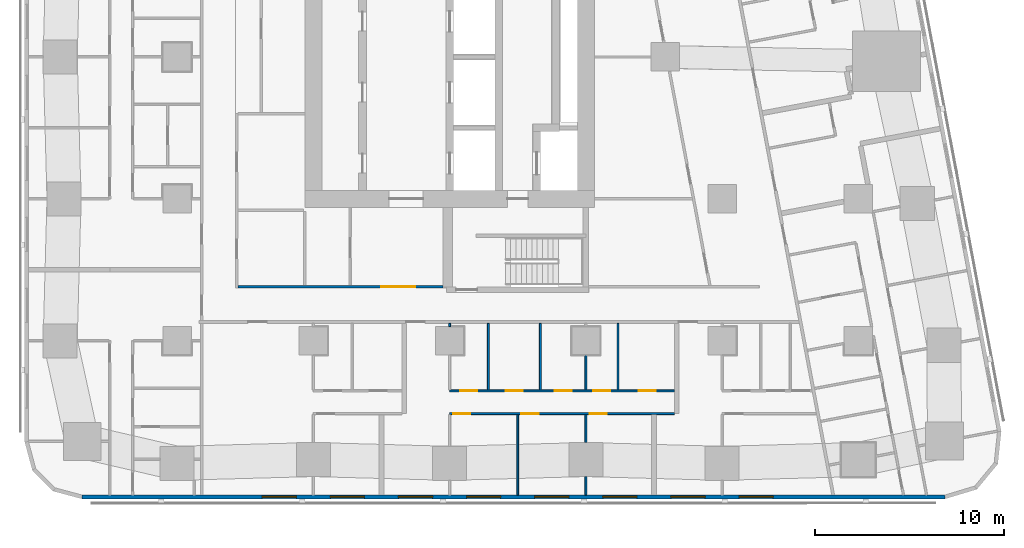
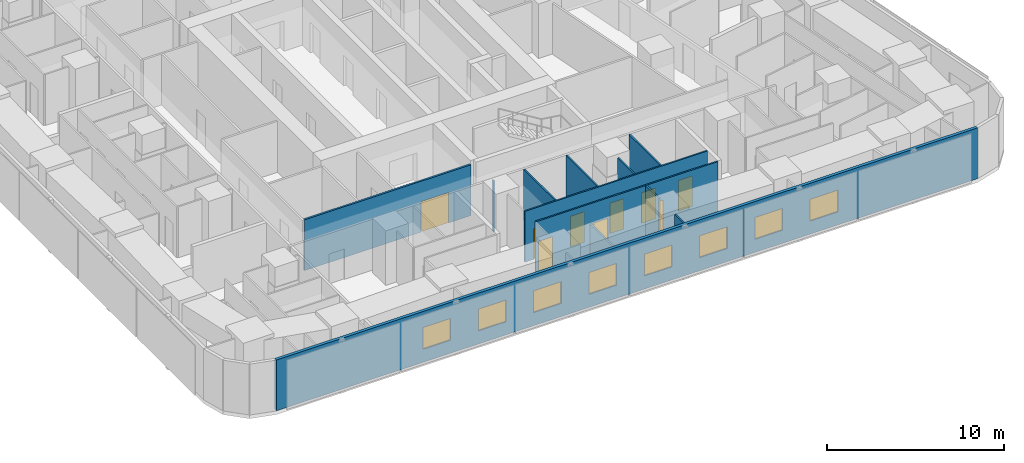
# One storey, part 3 of 15: 12 walls, 9 doors, 8 windows, 17 openings.
"""IFC4 building model written with IfcOpenShell, lengths in metres."""

from ifc_helpers import new_model, si_unit, direction, frame, frame_2d, origin, place, context, subcontext, project, spatial, rectangle, extrude, material, layer, layer_set, type_object, element, fill, save


model = new_model("IFC4")

# Units and contexts
model_context = context("Model", 3, precision=1e-05, world=origin(), true_north=direction((0.0, 1.0)))
body_context = subcontext(model_context, "Body", "Model", "MODEL_VIEW")
ifc_project = project(units=[si_unit("LENGTHUNIT", "METRE"), si_unit("AREAUNIT", "SQUARE_METRE"), si_unit("VOLUMEUNIT", "CUBIC_METRE"), si_unit("PLANEANGLEUNIT", "RADIAN"), si_unit("MASSUNIT", "GRAM", prefix="KILO")], contexts=[model_context])

# Site, building, storey
site_placement = place(None, origin())
site = spatial("IfcSite", under=ifc_project, at=site_placement, CompositionType="ELEMENT")
building_placement = place(site_placement, origin())
building = spatial("IfcBuilding", under=site, at=building_placement, Name="Sheger Commons Tower", CompositionType="ELEMENT")
storey_placement = place(building_placement, frame((0.0, 0.0, 165.800048828125)))
storey = spatial("IfcBuildingStorey", under=building, at=storey_placement, Name="L42", CompositionType="ELEMENT", Elevation=165.800048828125)

# Wall, openings, windows
ifc_material_1 = material(Name="Rendered concrete block masonry, dark grey", Category="masonry")
ifc_layer_1 = layer(ifc_material_1, 0.199951171875)
ifc_layer_set_1 = layer_set([ifc_layer_1], Name="FACADE WALL 200")
wall_type_1 = type_object("IfcWallType", Name="FACADE WALL 200", PredefinedType="SOLIDWALL", material=ifc_layer_set_1)
wall_1_placement = place(storey_placement, frame((2.1630859375, -0.75, 0.0), z_axis=(0.0, 0.0, 1.0), x_axis=(1.0, 0.0, 0.0)))
wall_1 = element("IfcWall", 1, at=wall_1_placement, inside=storey, type_object=wall_type_1, Name="Facade wall L42", PredefinedType="SOLIDWALL", context=body_context, shape_type="SweptSolid", body=[
    extrude(rectangle(XDim=45.6279296875, YDim=0.199951171875, at=frame_2d((22.81396484375, 0.0))), origin(), (0.0, 0.0, 1.0), 3.5),
])
opening_1_placement = place(wall_1_placement, frame((9.537109375, 0.0, 0.89990234375)))
opening_1 = element("IfcOpeningElement", 2, at=opening_1_placement, cuts=wall_1, Name="Opening W2", PredefinedType="OPENING", context=body_context, shape_type="SweptSolid", body=[
    extrude(rectangle(XDim=1.800048828125, YDim=1.5, at=frame_2d((0.89990234375, 0.75))), frame((0.0, 0.10986328125, 0.0), z_axis=(0.0, -1.0, 0.0), x_axis=(1.0, 0.0, 0.0)), (0.0, 0.0, 1.0), 0.219970703125),
])
opening_2_placement = place(wall_1_placement, frame((13.136962890625, 0.0, 0.89990234375)))
opening_2 = element("IfcOpeningElement", 3, at=opening_2_placement, cuts=wall_1, Name="Opening W2", PredefinedType="OPENING", context=body_context, shape_type="SweptSolid", body=[
    extrude(rectangle(XDim=1.800048828125, YDim=1.5, at=frame_2d((0.89990234375, 0.75))), frame((0.0, 0.10986328125, 0.0), z_axis=(0.0, -1.0, 0.0), x_axis=(1.0, 0.0, 0.0)), (0.0, 0.0, 1.0), 0.219970703125),
])
opening_3_placement = place(wall_1_placement, frame((16.737060546875, 0.0, 0.89990234375)))
opening_3 = element("IfcOpeningElement", 4, at=opening_3_placement, cuts=wall_1, Name="Opening W2", PredefinedType="OPENING", context=body_context, shape_type="SweptSolid", body=[
    extrude(rectangle(XDim=1.800048828125, YDim=1.5, at=frame_2d((0.89990234375, 0.75))), frame((0.0, 0.10986328125, 0.0), z_axis=(0.0, -1.0, 0.0), x_axis=(1.0, 0.0, 0.0)), (0.0, 0.0, 1.0), 0.219970703125),
])
opening_4_placement = place(wall_1_placement, frame((20.3369140625, 0.0, 0.89990234375)))
opening_4 = element("IfcOpeningElement", 5, at=opening_4_placement, cuts=wall_1, Name="Opening W2", PredefinedType="OPENING", context=body_context, shape_type="SweptSolid", body=[
    extrude(rectangle(XDim=1.800048828125, YDim=1.5, at=frame_2d((0.89990234375, 0.75))), frame((0.0, 0.10986328125, 0.0), z_axis=(0.0, -1.0, 0.0), x_axis=(1.0, 0.0, 0.0)), (0.0, 0.0, 1.0), 0.219970703125),
])
opening_5_placement = place(wall_1_placement, frame((23.93701171875, 0.0, 0.89990234375)))
opening_5 = element("IfcOpeningElement", 6, at=opening_5_placement, cuts=wall_1, Name="Opening W2", PredefinedType="OPENING", context=body_context, shape_type="SweptSolid", body=[
    extrude(rectangle(XDim=1.800048828125, YDim=1.5, at=frame_2d((0.89990234375, 0.75))), frame((0.0, 0.10986328125, 0.0), z_axis=(0.0, -1.0, 0.0), x_axis=(1.0, 0.0, 0.0)), (0.0, 0.0, 1.0), 0.219970703125),
])
opening_6_placement = place(wall_1_placement, frame((27.537109375, 0.0, 0.89990234375)))
opening_6 = element("IfcOpeningElement", 7, at=opening_6_placement, cuts=wall_1, Name="Opening W2", PredefinedType="OPENING", context=body_context, shape_type="SweptSolid", body=[
    extrude(rectangle(XDim=1.800048828125, YDim=1.5, at=frame_2d((0.89990234375, 0.75))), frame((0.0, 0.10986328125, 0.0), z_axis=(0.0, -1.0, 0.0), x_axis=(1.0, 0.0, 0.0)), (0.0, 0.0, 1.0), 0.219970703125),
])
opening_7_placement = place(wall_1_placement, frame((31.136962890625, 0.0, 0.89990234375)))
opening_7 = element("IfcOpeningElement", 8, at=opening_7_placement, cuts=wall_1, Name="Opening W2", PredefinedType="OPENING", context=body_context, shape_type="SweptSolid", body=[
    extrude(rectangle(XDim=1.800048828125, YDim=1.5, at=frame_2d((0.89990234375, 0.75))), frame((0.0, 0.10986328125, 0.0), z_axis=(0.0, -1.0, 0.0), x_axis=(1.0, 0.0, 0.0)), (0.0, 0.0, 1.0), 0.219970703125),
])
opening_8_placement = place(wall_1_placement, frame((34.737060546875, 0.0, 0.89990234375)))
opening_8 = element("IfcOpeningElement", 9, at=opening_8_placement, cuts=wall_1, Name="Opening W2", PredefinedType="OPENING", context=body_context, shape_type="SweptSolid", body=[
    extrude(rectangle(XDim=1.800048828125, YDim=1.5, at=frame_2d((0.89990234375, 0.75))), frame((0.0, 0.10986328125, 0.0), z_axis=(0.0, -1.0, 0.0), x_axis=(1.0, 0.0, 0.0)), (0.0, 0.0, 1.0), 0.219970703125),
])
ifc_material_2 = material(Name="Black aluminium frame, dark tinted double glazing", Category="aluminium")
window_type = type_object("IfcWindowType", Name="WINDOW W2 1800x1500", PartitioningType="SINGLE_PANEL", PredefinedType="WINDOW", material=ifc_material_2)
window_1_placement = place(opening_1_placement, origin())
window_1 = element("IfcWindow", 10, at=window_1_placement, inside=storey, type_object=window_type, Name="Window W2 1800X1500", OverallHeight=1.5, OverallWidth=1.800048828125, PartitioningType="SINGLE_PANEL", PredefinedType="WINDOW", context=body_context, shape_type="SweptSolid", body=[
    extrude(rectangle(XDim=1.800048828125, YDim=1.5, at=frame_2d((0.89990234375, 0.75))), frame((0.0, 0.030029296875, 0.0), z_axis=(0.0, -1.0, 0.0), x_axis=(1.0, 0.0, 0.0)), (0.0, 0.0, 1.0), 0.06005859375),
])
fill(opening_1, window_1)
window_2_placement = place(opening_2_placement, origin())
window_2 = element("IfcWindow", 11, at=window_2_placement, inside=storey, type_object=window_type, Name="Window W2 1800X1500", OverallHeight=1.5, OverallWidth=1.800048828125, PartitioningType="SINGLE_PANEL", PredefinedType="WINDOW", context=body_context, shape_type="SweptSolid", body=[
    extrude(rectangle(XDim=1.800048828125, YDim=1.5, at=frame_2d((0.89990234375, 0.75))), frame((0.0, 0.030029296875, 0.0), z_axis=(0.0, -1.0, 0.0), x_axis=(1.0, 0.0, 0.0)), (0.0, 0.0, 1.0), 0.06005859375),
])
fill(opening_2, window_2)
window_3_placement = place(opening_3_placement, origin())
window_3 = element("IfcWindow", 12, at=window_3_placement, inside=storey, type_object=window_type, Name="Window W2 1800X1500", OverallHeight=1.5, OverallWidth=1.800048828125, PartitioningType="SINGLE_PANEL", PredefinedType="WINDOW", context=body_context, shape_type="SweptSolid", body=[
    extrude(rectangle(XDim=1.800048828125, YDim=1.5, at=frame_2d((0.89990234375, 0.75))), frame((0.0, 0.030029296875, 0.0), z_axis=(0.0, -1.0, 0.0), x_axis=(1.0, 0.0, 0.0)), (0.0, 0.0, 1.0), 0.06005859375),
])
fill(opening_3, window_3)
window_4_placement = place(opening_4_placement, origin())
window_4 = element("IfcWindow", 13, at=window_4_placement, inside=storey, type_object=window_type, Name="Window W2 1800X1500", OverallHeight=1.5, OverallWidth=1.800048828125, PartitioningType="SINGLE_PANEL", PredefinedType="WINDOW", context=body_context, shape_type="SweptSolid", body=[
    extrude(rectangle(XDim=1.800048828125, YDim=1.5, at=frame_2d((0.89990234375, 0.75))), frame((0.0, 0.030029296875, 0.0), z_axis=(0.0, -1.0, 0.0), x_axis=(1.0, 0.0, 0.0)), (0.0, 0.0, 1.0), 0.06005859375),
])
fill(opening_4, window_4)
window_5_placement = place(opening_5_placement, origin())
window_5 = element("IfcWindow", 14, at=window_5_placement, inside=storey, type_object=window_type, Name="Window W2 1800X1500", OverallHeight=1.5, OverallWidth=1.800048828125, PartitioningType="SINGLE_PANEL", PredefinedType="WINDOW", context=body_context, shape_type="SweptSolid", body=[
    extrude(rectangle(XDim=1.800048828125, YDim=1.5, at=frame_2d((0.89990234375, 0.75))), frame((0.0, 0.030029296875, 0.0), z_axis=(0.0, -1.0, 0.0), x_axis=(1.0, 0.0, 0.0)), (0.0, 0.0, 1.0), 0.06005859375),
])
fill(opening_5, window_5)
window_6_placement = place(opening_6_placement, origin())
window_6 = element("IfcWindow", 15, at=window_6_placement, inside=storey, type_object=window_type, Name="Window W2 1800X1500", OverallHeight=1.5, OverallWidth=1.800048828125, PartitioningType="SINGLE_PANEL", PredefinedType="WINDOW", context=body_context, shape_type="SweptSolid", body=[
    extrude(rectangle(XDim=1.800048828125, YDim=1.5, at=frame_2d((0.89990234375, 0.75))), frame((0.0, 0.030029296875, 0.0), z_axis=(0.0, -1.0, 0.0), x_axis=(1.0, 0.0, 0.0)), (0.0, 0.0, 1.0), 0.06005859375),
])
fill(opening_6, window_6)
window_7_placement = place(opening_7_placement, origin())
window_7 = element("IfcWindow", 16, at=window_7_placement, inside=storey, type_object=window_type, Name="Window W2 1800X1500", OverallHeight=1.5, OverallWidth=1.800048828125, PartitioningType="SINGLE_PANEL", PredefinedType="WINDOW", context=body_context, shape_type="SweptSolid", body=[
    extrude(rectangle(XDim=1.800048828125, YDim=1.5, at=frame_2d((0.89990234375, 0.75))), frame((0.0, 0.030029296875, 0.0), z_axis=(0.0, -1.0, 0.0), x_axis=(1.0, 0.0, 0.0)), (0.0, 0.0, 1.0), 0.06005859375),
])
fill(opening_7, window_7)
window_8_placement = place(opening_8_placement, origin())
window_8 = element("IfcWindow", 17, at=window_8_placement, inside=storey, type_object=window_type, Name="Window W2 1800X1500", OverallHeight=1.5, OverallWidth=1.800048828125, PartitioningType="SINGLE_PANEL", PredefinedType="WINDOW", context=body_context, shape_type="SweptSolid", body=[
    extrude(rectangle(XDim=1.800048828125, YDim=1.5, at=frame_2d((0.89990234375, 0.75))), frame((0.0, 0.030029296875, 0.0), z_axis=(0.0, -1.0, 0.0), x_axis=(1.0, 0.0, 0.0)), (0.0, 0.0, 1.0), 0.06005859375),
])
fill(opening_8, window_8)

# Wall, openings, doors
ifc_material_3 = material(Name="Gypsum board on steel studs", Category="steel")
ifc_layer_2 = layer(ifc_material_3, 0.10009765625)
ifc_layer_set_2 = layer_set([ifc_layer_2], Name="PARTITION 100")
wall_type_2 = type_object("IfcWallType", Name="PARTITION 100", PredefinedType="PARTITIONING", material=ifc_layer_set_2)
wall_2_placement = place(storey_placement, frame((33.47412109375, 3.64990234375, 0.0), z_axis=(0.0, 0.0, 1.0), x_axis=(-1.0, 0.0, 0.0)))
wall_2 = element("IfcWall", 18, at=wall_2_placement, inside=storey, type_object=wall_type_2, Name="Partition L42", PredefinedType="PARTITIONING", context=body_context, shape_type="SweptSolid", body=[
    extrude(rectangle(XDim=11.8740234375, YDim=0.10009765625, at=frame_2d((5.93701171875, 0.0))), origin(), (0.0, 0.0, 1.0), 3.5),
])
opening_9_placement = place(wall_2_placement, frame((10.77392578125, 0.0, 0.0)))
opening_9 = element("IfcOpeningElement", 19, at=opening_9_placement, cuts=wall_2, Name="Opening D2", PredefinedType="OPENING", context=body_context, shape_type="SweptSolid", body=[
    extrude(rectangle(XDim=0.89990234375, YDim=2.10009765625, at=frame_2d((0.449951171875, 1.050048828125))), frame((0.0, 0.06005859375, 0.0), z_axis=(0.0, -1.0, 0.0), x_axis=(1.0, 0.0, 0.0)), (0.0, 0.0, 1.0), 0.1201171875),
])
opening_10_placement = place(wall_2_placement, frame((7.174072265625, 0.0, 0.0)))
opening_10 = element("IfcOpeningElement", 20, at=opening_10_placement, cuts=wall_2, Name="Opening D2", PredefinedType="OPENING", context=body_context, shape_type="SweptSolid", body=[
    extrude(rectangle(XDim=0.89990234375, YDim=2.10009765625, at=frame_2d((0.449951171875, 1.050048828125))), frame((0.0, 0.06005859375, 0.0), z_axis=(0.0, -1.0, 0.0), x_axis=(1.0, 0.0, 0.0)), (0.0, 0.0, 1.0), 0.1201171875),
])
opening_11_placement = place(wall_2_placement, frame((3.573974609375, 0.0, 0.0)))
opening_11 = element("IfcOpeningElement", 21, at=opening_11_placement, cuts=wall_2, Name="Opening D2", PredefinedType="OPENING", context=body_context, shape_type="SweptSolid", body=[
    extrude(rectangle(XDim=0.89990234375, YDim=2.10009765625, at=frame_2d((0.449951171875, 1.050048828125))), frame((0.0, 0.06005859375, 0.0), z_axis=(0.0, -1.0, 0.0), x_axis=(1.0, 0.0, 0.0)), (0.0, 0.0, 1.0), 0.1201171875),
])
ifc_material_4 = material(Name="Timber door set", Category="wood")
door_type_1 = type_object("IfcDoorType", Name="INTERNAL DOOR 900x2100", OperationType="NOTDEFINED", PredefinedType="DOOR", material=ifc_material_4)
door_1_placement = place(opening_9_placement, origin())
door_1 = element("IfcDoor", 22, at=door_1_placement, inside=storey, type_object=door_type_1, Name="Main bedroom door", OperationType="SINGLE_SWING_RIGHT", OverallHeight=2.10009765625, OverallWidth=0.89990234375, PredefinedType="DOOR", context=body_context, shape_type="SweptSolid", body=[
    extrude(rectangle(XDim=0.89990234375, YDim=2.10009765625, at=frame_2d((0.449951171875, 1.050048828125))), frame((0.0, 0.02490234375, 0.0), z_axis=(0.0, -1.0, 0.0), x_axis=(1.0, 0.0, 0.0)), (0.0, 0.0, 1.0), 0.050048828125),
])
fill(opening_9, door_1)
door_2_placement = place(opening_10_placement, origin())
door_2 = element("IfcDoor", 23, at=door_2_placement, inside=storey, type_object=door_type_1, Name="Bedroom 2 door", OperationType="SINGLE_SWING_RIGHT", OverallHeight=2.10009765625, OverallWidth=0.89990234375, PredefinedType="DOOR", context=body_context, shape_type="SweptSolid", body=[
    extrude(rectangle(XDim=0.89990234375, YDim=2.10009765625, at=frame_2d((0.449951171875, 1.050048828125))), frame((0.0, 0.02490234375, 0.0), z_axis=(0.0, -1.0, 0.0), x_axis=(1.0, 0.0, 0.0)), (0.0, 0.0, 1.0), 0.050048828125),
])
fill(opening_10, door_2)
door_3_placement = place(opening_11_placement, origin())
door_3 = element("IfcDoor", 24, at=door_3_placement, inside=storey, type_object=door_type_1, Name="Bedroom 3 door", OperationType="SINGLE_SWING_RIGHT", OverallHeight=2.10009765625, OverallWidth=0.89990234375, PredefinedType="DOOR", context=body_context, shape_type="SweptSolid", body=[
    extrude(rectangle(XDim=0.89990234375, YDim=2.10009765625, at=frame_2d((0.449951171875, 1.050048828125))), frame((0.0, 0.02490234375, 0.0), z_axis=(0.0, -1.0, 0.0), x_axis=(1.0, 0.0, 0.0)), (0.0, 0.0, 1.0), 0.050048828125),
])
fill(opening_11, door_3)

wall_3_placement = place(storey_placement, frame((33.47412109375, 4.85009765625, 0.0), z_axis=(0.0, 0.0, 1.0), x_axis=(-1.0, 0.0, 0.0)))
wall_3 = element("IfcWall", 25, at=wall_3_placement, inside=storey, type_object=wall_type_2, Name="Partition L42", PredefinedType="PARTITIONING", context=body_context, shape_type="SweptSolid", body=[
    extrude(rectangle(XDim=11.8740234375, YDim=0.10009765625, at=frame_2d((5.93701171875, 0.0))), origin(), (0.0, 0.0, 1.0), 3.5),
])
opening_12_placement = place(wall_3_placement, frame((10.39892578125, 0.0, 0.0)))
opening_12 = element("IfcOpeningElement", 26, at=opening_12_placement, cuts=wall_3, Name="Opening D2", PredefinedType="OPENING", context=body_context, shape_type="SweptSolid", body=[
    extrude(rectangle(XDim=0.89990234375, YDim=2.10009765625, at=frame_2d((0.449951171875, 1.050048828125))), frame((0.0, 0.06005859375, 0.0), z_axis=(0.0, -1.0, 0.0), x_axis=(1.0, 0.0, 0.0)), (0.0, 0.0, 1.0), 0.1201171875),
])
opening_13_placement = place(wall_3_placement, frame((5.425048828125, 0.0, 0.0)))
opening_13 = element("IfcOpeningElement", 27, at=opening_13_placement, cuts=wall_3, Name="Opening D2", PredefinedType="OPENING", context=body_context, shape_type="SweptSolid", body=[
    extrude(rectangle(XDim=0.89990234375, YDim=2.10009765625, at=frame_2d((0.449951171875, 1.050048828125))), frame((0.0, 0.06005859375, 0.0), z_axis=(0.0, -1.0, 0.0), x_axis=(1.0, 0.0, 0.0)), (0.0, 0.0, 1.0), 0.1201171875),
])
opening_14_placement = place(wall_3_placement, frame((3.3740234375, 0.0, 0.0)))
opening_14 = element("IfcOpeningElement", 28, at=opening_14_placement, cuts=wall_3, Name="Opening D2", PredefinedType="OPENING", context=body_context, shape_type="SweptSolid", body=[
    extrude(rectangle(XDim=0.89990234375, YDim=2.10009765625, at=frame_2d((0.449951171875, 1.050048828125))), frame((0.0, 0.06005859375, 0.0), z_axis=(0.0, -1.0, 0.0), x_axis=(1.0, 0.0, 0.0)), (0.0, 0.0, 1.0), 0.1201171875),
])
opening_15_placement = place(wall_3_placement, frame((8.0, 0.0, 0.0)))
opening_15 = element("IfcOpeningElement", 29, at=opening_15_placement, cuts=wall_3, Name="Opening D2", PredefinedType="OPENING", context=body_context, shape_type="SweptSolid", body=[
    extrude(rectangle(XDim=0.89990234375, YDim=2.10009765625, at=frame_2d((0.449951171875, 1.050048828125))), frame((0.0, 0.06005859375, 0.0), z_axis=(0.0, -1.0, 0.0), x_axis=(1.0, 0.0, 0.0)), (0.0, 0.0, 1.0), 0.1201171875),
])
opening_16_placement = place(wall_3_placement, frame((0.97509765625, 0.0, 0.0)))
opening_16 = element("IfcOpeningElement", 30, at=opening_16_placement, cuts=wall_3, Name="Opening D2", PredefinedType="OPENING", context=body_context, shape_type="SweptSolid", body=[
    extrude(rectangle(XDim=0.89990234375, YDim=2.10009765625, at=frame_2d((0.449951171875, 1.050048828125))), frame((0.0, 0.06005859375, 0.0), z_axis=(0.0, -1.0, 0.0), x_axis=(1.0, 0.0, 0.0)), (0.0, 0.0, 1.0), 0.1201171875),
])
door_4_placement = place(opening_12_placement, origin())
door_4 = element("IfcDoor", 31, at=door_4_placement, inside=storey, type_object=door_type_1, Name="Bathroom door", OperationType="SINGLE_SWING_LEFT", OverallHeight=2.10009765625, OverallWidth=0.89990234375, PredefinedType="DOOR", context=body_context, shape_type="SweptSolid", body=[
    extrude(rectangle(XDim=0.89990234375, YDim=2.10009765625, at=frame_2d((0.449951171875, 1.050048828125))), frame((0.0, 0.02490234375, 0.0), z_axis=(0.0, -1.0, 0.0), x_axis=(1.0, 0.0, 0.0)), (0.0, 0.0, 1.0), 0.050048828125),
])
fill(opening_12, door_4)
door_5_placement = place(opening_13_placement, origin())
door_5 = element("IfcDoor", 32, at=door_5_placement, inside=storey, type_object=door_type_1, Name="Laundry room door", OperationType="SINGLE_SWING_LEFT", OverallHeight=2.10009765625, OverallWidth=0.89990234375, PredefinedType="DOOR", context=body_context, shape_type="SweptSolid", body=[
    extrude(rectangle(XDim=0.89990234375, YDim=2.10009765625, at=frame_2d((0.449951171875, 1.050048828125))), frame((0.0, 0.02490234375, 0.0), z_axis=(0.0, -1.0, 0.0), x_axis=(1.0, 0.0, 0.0)), (0.0, 0.0, 1.0), 0.050048828125),
])
fill(opening_13, door_5)
door_6_placement = place(opening_14_placement, origin())
door_6 = element("IfcDoor", 33, at=door_6_placement, inside=storey, type_object=door_type_1, Name="Laundry room door", OperationType="SINGLE_SWING_LEFT", OverallHeight=2.10009765625, OverallWidth=0.89990234375, PredefinedType="DOOR", context=body_context, shape_type="SweptSolid", body=[
    extrude(rectangle(XDim=0.89990234375, YDim=2.10009765625, at=frame_2d((0.449951171875, 1.050048828125))), frame((0.0, 0.02490234375, 0.0), z_axis=(0.0, -1.0, 0.0), x_axis=(1.0, 0.0, 0.0)), (0.0, 0.0, 1.0), 0.050048828125),
])
fill(opening_14, door_6)
door_7_placement = place(opening_15_placement, origin())
door_7 = element("IfcDoor", 34, at=door_7_placement, inside=storey, type_object=door_type_1, Name="Store door", OperationType="SINGLE_SWING_RIGHT", OverallHeight=2.10009765625, OverallWidth=0.89990234375, PredefinedType="DOOR", context=body_context, shape_type="SweptSolid", body=[
    extrude(rectangle(XDim=0.89990234375, YDim=2.10009765625, at=frame_2d((0.449951171875, 1.050048828125))), frame((0.0, 0.02490234375, 0.0), z_axis=(0.0, -1.0, 0.0), x_axis=(1.0, 0.0, 0.0)), (0.0, 0.0, 1.0), 0.050048828125),
])
fill(opening_15, door_7)
door_8_placement = place(opening_16_placement, origin())
door_8 = element("IfcDoor", 35, at=door_8_placement, inside=storey, type_object=door_type_1, Name="Store door", OperationType="SINGLE_SWING_RIGHT", OverallHeight=2.10009765625, OverallWidth=0.89990234375, PredefinedType="DOOR", context=body_context, shape_type="SweptSolid", body=[
    extrude(rectangle(XDim=0.89990234375, YDim=2.10009765625, at=frame_2d((0.449951171875, 1.050048828125))), frame((0.0, 0.02490234375, 0.0), z_axis=(0.0, -1.0, 0.0), x_axis=(1.0, 0.0, 0.0)), (0.0, 0.0, 1.0), 0.050048828125),
])
fill(opening_16, door_8)

# Walls
wall_4_placement = place(storey_placement, frame((25.199951171875, -0.64990234375, 0.0), z_axis=(0.0, 0.0, 1.0), x_axis=(0.0, 1.0, 0.0)))
element("IfcWall", 36, at=wall_4_placement, inside=storey, type_object=wall_type_2, Name="Partition L42", PredefinedType="PARTITIONING", context=body_context, shape_type="SweptSolid", body=[
    extrude(rectangle(XDim=4.25, YDim=0.10009765625, at=frame_2d((2.125, 0.0))), origin(), (0.0, 0.0, 1.0), 2.099853515625),
])
wall_5_placement = place(storey_placement, frame((28.800048828125, -0.64990234375, 0.0), z_axis=(0.0, 0.0, 1.0), x_axis=(0.0, 1.0, 0.0)))
element("IfcWall", 37, at=wall_5_placement, inside=storey, type_object=wall_type_2, Name="Partition L42", PredefinedType="PARTITIONING", context=body_context, shape_type="SweptSolid", body=[
    extrude(rectangle(XDim=0.973876953125, YDim=0.10009765625, at=frame_2d((0.48681640625, 0.0))), origin(), (0.0, 0.0, 1.0), 3.5),
])
wall_6_placement = place(storey_placement, frame((28.800048828125, 2.1259765625, 0.0), z_axis=(0.0, 0.0, 1.0), x_axis=(0.0, 1.0, 0.0)))
element("IfcWall", 38, at=wall_6_placement, inside=storey, type_object=wall_type_2, Name="Partition L42", PredefinedType="PARTITIONING", context=body_context, shape_type="SweptSolid", body=[
    extrude(rectangle(XDim=1.47412109375, YDim=0.10009765625, at=frame_2d((0.737060546875, 0.0))), origin(), (0.0, 0.0, 1.0), 3.5),
])
wall_7_placement = place(storey_placement, frame((21.60009765625, 8.2509765625, 0.0), z_axis=(0.0, 0.0, 1.0), x_axis=(0.0, 1.0, 0.0)))
element("IfcWall", 39, at=wall_7_placement, inside=storey, type_object=wall_type_2, Name="Partition L42", PredefinedType="PARTITIONING", context=body_context, shape_type="SweptSolid", body=[
    extrude(rectangle(XDim=0.174072265625, YDim=0.10009765625, at=frame_2d((0.0869140625, 0.0))), origin(), (0.0, 0.0, 1.0), 3.5),
])
wall_8_placement = place(storey_placement, frame((26.39892578125, 4.89990234375, 0.0), z_axis=(0.0, 0.0, 1.0), x_axis=(0.0, 1.0, 0.0)))
element("IfcWall", 40, at=wall_8_placement, inside=storey, type_object=wall_type_2, Name="Partition L42", PredefinedType="PARTITIONING", context=body_context, shape_type="SweptSolid", body=[
    extrude(rectangle(XDim=3.525146484375, YDim=0.10009765625, at=frame_2d((1.7626953125, 0.0))), origin(), (0.0, 0.0, 1.0), 3.5),
])
wall_9_placement = place(storey_placement, frame((28.800048828125, 4.89990234375, 0.0), z_axis=(0.0, 0.0, 1.0), x_axis=(0.0, 1.0, 0.0)))
element("IfcWall", 41, at=wall_9_placement, inside=storey, type_object=wall_type_2, Name="Partition L42", PredefinedType="PARTITIONING", context=body_context, shape_type="SweptSolid", body=[
    extrude(rectangle(XDim=1.84912109375, YDim=0.10009765625, at=frame_2d((0.924560546875, 0.0))), origin(), (0.0, 0.0, 1.0), 3.5),
])
for number, where, z_axis, x_axis, name in (
    (42, (23.64990234375, 4.89990234375, 0.0), (0.0, 0.0, 1.0), (0.0, 1.0, 0.0), "Partition L42"),
    (43, (30.5, 4.89990234375, 0.0), (0.0, 0.0, 1.0), (0.0, 1.0, 0.0), "Partition L42"),
):
    element("IfcWall", number, at=place(storey_placement, frame(where, z_axis=z_axis, x_axis=x_axis)), inside=storey, type_object=wall_type_2, Name=name, PredefinedType="PARTITIONING", context=body_context, shape_type="SweptSolid", body=[
        extrude(rectangle(XDim=3.525146484375, YDim=0.10009765625, at=frame_2d((1.7626953125, 0.0))), origin(), (0.0, 0.0, 1.0), 3.5),
    ])

# Wall, opening, door
ifc_material_5 = material(Name="Gypsum board on steel studs, two layers each side, fire rated", Category="steel")
ifc_layer_3 = layer(ifc_material_5, 0.125)
ifc_layer_set_3 = layer_set([ifc_layer_3], Name="SERVICE WALL 125")
wall_type_3 = type_object("IfcWallType", Name="SERVICE WALL 125", PredefinedType="PARTITIONING", material=ifc_layer_set_3)
wall_10_placement = place(storey_placement, frame((10.4130859375, 10.35009765625, 0.0), z_axis=(0.0, 0.0, 1.0), x_axis=(1.0, 0.0, 0.0)))
wall_10 = element("IfcWall", 44, at=wall_10_placement, inside=storey, type_object=wall_type_3, Name="Service room wall L42", PredefinedType="PARTITIONING", context=body_context, shape_type="SweptSolid", body=[
    extrude(rectangle(XDim=10.8369140625, YDim=0.125, at=frame_2d((5.41845703125, 0.0))), origin(), (0.0, 0.0, 1.0), 3.5),
])
opening_17_placement = place(wall_10_placement, frame((7.58203125, 0.0, 0.0)))
opening_17 = element("IfcOpeningElement", 45, at=opening_17_placement, cuts=wall_10, Name="Opening D6", PredefinedType="OPENING", context=body_context, shape_type="SweptSolid", body=[
    extrude(rectangle(XDim=1.800048828125, YDim=2.10009765625, at=frame_2d((0.89990234375, 1.050048828125))), frame((0.0, 0.072509765625, 0.0), z_axis=(0.0, -1.0, 0.0), x_axis=(1.0, 0.0, 0.0)), (0.0, 0.0, 1.0), 0.14501953125),
])
ifc_material_6 = material(Name="Steel door set, fire rated", Category="steel")
door_type_2 = type_object("IfcDoorType", Name="LOBBY DOUBLE DOOR 1800x2100", OperationType="DOUBLE_DOOR_SINGLE_SWING", PredefinedType="DOOR", material=ifc_material_6)
door_9_placement = place(opening_17_placement, origin())
door_9 = element("IfcDoor", 46, at=door_9_placement, inside=storey, type_object=door_type_2, Name="Lift lobby south door", OperationType="DOUBLE_DOOR_SINGLE_SWING", OverallHeight=2.10009765625, OverallWidth=1.800048828125, PredefinedType="DOOR", context=body_context, shape_type="SweptSolid", body=[
    extrude(rectangle(XDim=1.800048828125, YDim=2.10009765625, at=frame_2d((0.89990234375, 1.050048828125))), frame((0.0, 0.02490234375, 0.0), z_axis=(0.0, -1.0, 0.0), x_axis=(1.0, 0.0, 0.0)), (0.0, 0.0, 1.0), 0.050048828125),
])
fill(opening_17, door_9)

save(model, "model.ifc")
